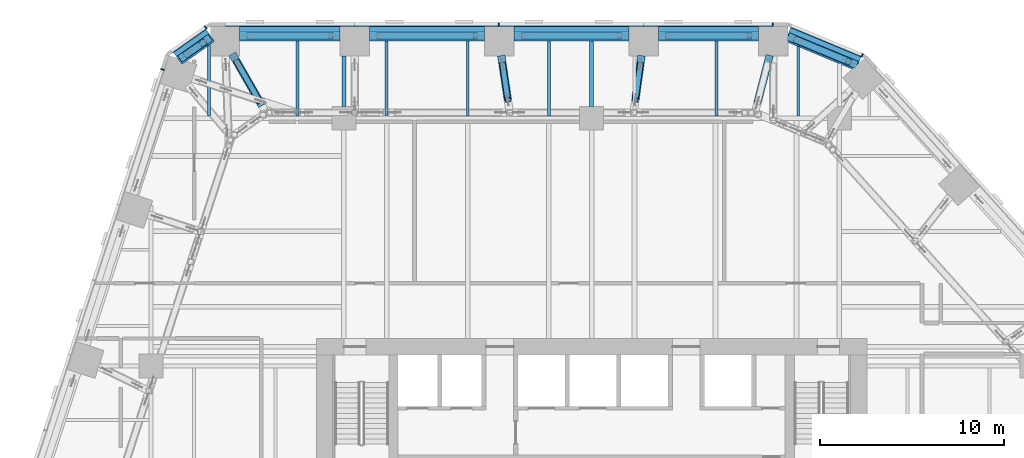
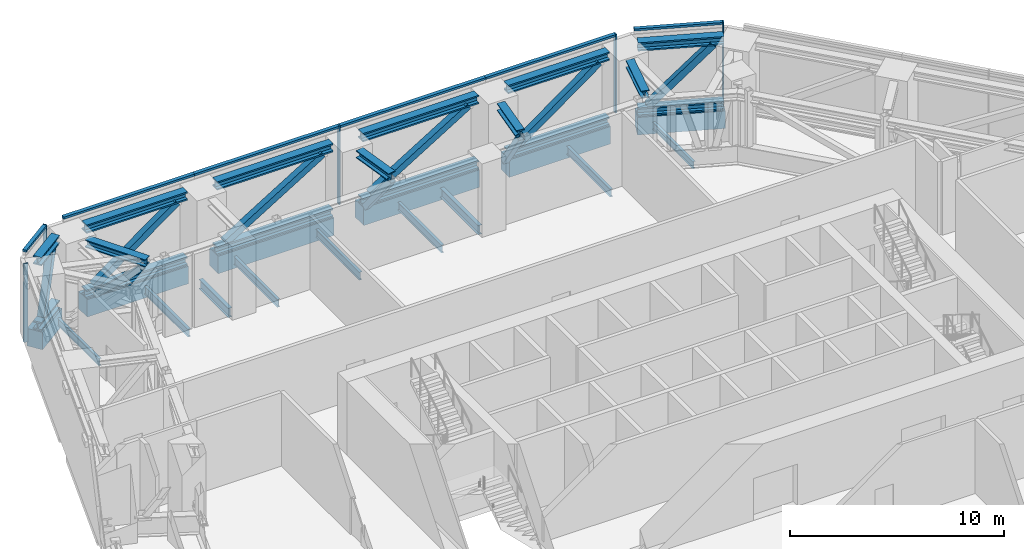
# One storey, part 18 of 36: 36 members, 15 beams, 4 elements without a shape of their own.
"""IFC4 building model written with IfcOpenShell, lengths in metres."""

from ifc_helpers import new_model, si_unit, direction, frame, origin, origin_2d, place, context, subcontext, project, spatial, rectangle, hollow_rectangle, i_section, extrude, material, layer, layer_set, material_profile, profile_set, type_object, element, aggregate, save


model = new_model("IFC4")

# Units and contexts
model_context = context("Model", 3, precision=1e-05, world=origin(), true_north=direction((0.0, 1.0)))
body_context = subcontext(model_context, "Body", "Model", "MODEL_VIEW")
ifc_project = project(units=[si_unit("LENGTHUNIT", "METRE"), si_unit("AREAUNIT", "SQUARE_METRE"), si_unit("VOLUMEUNIT", "CUBIC_METRE"), si_unit("PLANEANGLEUNIT", "RADIAN"), si_unit("MASSUNIT", "GRAM", prefix="KILO")], contexts=[model_context])

# Site, building, storey
site_placement = place(None, origin())
site = spatial("IfcSite", under=ifc_project, at=site_placement, CompositionType="ELEMENT")
building_placement = place(site_placement, origin())
building = spatial("IfcBuilding", under=site, at=building_placement, Name="Isthmus Gate Tower", CompositionType="ELEMENT")
storey_placement = place(building_placement, frame((0.0, 0.0, 117.14990234375)))
storey = spatial("IfcBuildingStorey", under=building, at=storey_placement, Name="L28", CompositionType="ELEMENT", Elevation=117.14990234375)

# Members
ifc_material_1 = material(Name="Structural steel ASTM A913 Gr 65", Category="steel")
ifc_material_profile_1 = material_profile(ifc_material_1, i_section(OverallWidth=0.4287109375, OverallDepth=0.482666015625, WebThickness=0.05078125, FlangeThickness=0.0810546875, at=origin_2d()), Name="W14X455")
ifc_profile_set_1 = profile_set([ifc_material_profile_1], Name="Structural steel ASTM A913 Gr 65")
member_type_1 = type_object("IfcMemberType", Name="BELT TRUSS CHORD W14X455", PredefinedType="CHORD", material=ifc_profile_set_1)
for number, where, z_axis, x_axis, name in (
    (1, (10.701904296875, 31.45849609375, 0.241455078125), (0.923352231682, -0.383953976732, 0.0), (0.383953976732, 0.923352231682, 0.0), "str-belt00-L28-01"),
    (2, (10.701904296875, 31.45849609375, 3.958740234375), (0.923352231682, -0.383953976732, 0.0), (0.383953976732, 0.923352231682, 0.0), "str-belt00-L28-02"),
):
    element("IfcMember", number, at=place(storey_placement, frame(where, z_axis=z_axis, x_axis=x_axis)), inside=storey, type_object=member_type_1, Name=name, PredefinedType="CHORD", context=body_context, shape_type="SweptSolid", body=[
        extrude(i_section(OverallWidth=0.4287109375, OverallDepth=0.482666015625, WebThickness=0.05078125, FlangeThickness=0.0810546875, at=origin_2d()), origin(), (0.0, 0.0, 1.0), 4.063232421875),
    ])
for number, where, z_axis, x_axis, name in (
    (3, (-22.4345703125, 30.221923828125, 0.241455078125), (0.817877769394, 0.575392000579, 0.0), (-0.575392000579, 0.817877769394, 0.0), "str-belt22-L28-01"),
    (4, (-22.4345703125, 30.221923828125, 3.958740234375), (0.817877769394, 0.575392000579, 0.0), (-0.575392000579, 0.817877769394, 0.0), "str-belt22-L28-02"),
):
    element("IfcMember", number, at=place(storey_placement, frame(where, z_axis=z_axis, x_axis=x_axis)), inside=storey, type_object=member_type_1, Name=name, PredefinedType="CHORD", context=body_context, shape_type="SweptSolid", body=[
        extrude(i_section(OverallWidth=0.4287109375, OverallDepth=0.482666015625, WebThickness=0.05078125, FlangeThickness=0.0810546875, at=origin_2d()), origin(), (0.0, 0.0, 1.0), 2.02783203125),
    ])
for number, where, z_axis, x_axis, name in (
    (5, (-19.17626953125, 31.5, 0.241455078125), (1.0, 0.0, 0.0), (0.0, 1.0, 0.0), "str-belt23-L28-01"),
    (6, (-19.17626953125, 31.5, 3.958740234375), (1.0, 0.0, 0.0), (0.0, 1.0, 0.0), "str-belt23-L28-02"),
):
    element("IfcMember", number, at=place(storey_placement, frame(where, z_axis=z_axis, x_axis=x_axis)), inside=storey, type_object=member_type_1, Name=name, PredefinedType="CHORD", context=body_context, shape_type="SweptSolid", body=[
        extrude(i_section(OverallWidth=0.4287109375, OverallDepth=0.482666015625, WebThickness=0.05078125, FlangeThickness=0.0810546875, at=origin_2d()), origin(), (0.0, 0.0, 1.0), 5.469482421875),
    ])
for number, where, z_axis, x_axis, name in (
    (7, (-12.106689453125, 31.5, 0.241455078125), (1.0, 0.0, 0.0), (0.0, 1.0, 0.0), "str-belt24-L28-01"),
    (8, (-12.106689453125, 31.5, 3.958740234375), (1.0, 0.0, 0.0), (0.0, 1.0, 0.0), "str-belt24-L28-02"),
    (9, (-4.2373046875, 31.5, 0.241455078125), (1.0, 0.0, 0.0), (0.0, 1.0, 0.0), "str-belt25-L28-01"),
    (10, (-4.2373046875, 31.5, 3.958740234375), (1.0, 0.0, 0.0), (0.0, 1.0, 0.0), "str-belt25-L28-02"),
):
    element("IfcMember", number, at=place(storey_placement, frame(where, z_axis=z_axis, x_axis=x_axis)), inside=storey, type_object=member_type_1, Name=name, PredefinedType="CHORD", context=body_context, shape_type="SweptSolid", body=[
        extrude(i_section(OverallWidth=0.4287109375, OverallDepth=0.482666015625, WebThickness=0.05078125, FlangeThickness=0.0810546875, at=origin_2d()), origin(), (0.0, 0.0, 1.0), 6.26953125),
    ])
for number, where, z_axis, x_axis, name in (
    (11, (3.63232421875, 31.5, 0.241455078125), (1.0, 0.0, 0.0), (0.0, 1.0, 0.0), "str-belt26-L28-01"),
    (12, (3.63232421875, 31.5, 3.958740234375), (1.0, 0.0, 0.0), (0.0, 1.0, 0.0), "str-belt26-L28-02"),
):
    element("IfcMember", number, at=place(storey_placement, frame(where, z_axis=z_axis, x_axis=x_axis)), inside=storey, type_object=member_type_1, Name=name, PredefinedType="CHORD", context=body_context, shape_type="SweptSolid", body=[
        extrude(i_section(OverallWidth=0.4287109375, OverallDepth=0.482666015625, WebThickness=0.05078125, FlangeThickness=0.0810546875, at=origin_2d()), origin(), (0.0, 0.0, 1.0), 5.469482421875),
    ])

# Curtain wall, members
ifc_material_2 = material(Name="Aluminium, pale champagne anodised", Category="aluminium")
ifc_layer = layer(ifc_material_2, 0.199951171875)
ifc_layer_set = layer_set([ifc_layer], Name="CW-2 LOUVRE CURTAIN WALL 200 DEEP")
curtain_wall_type = type_object("IfcCurtainWallType", Name="CW-2 LOUVRE CURTAIN WALL 200 DEEP", PredefinedType="NOTDEFINED", material=ifc_layer_set)
curtain_wall_1_placement = place(storey_placement, origin())
curtain_wall_1 = element("IfcCurtainWall", 13, at=curtain_wall_1_placement, inside=storey, type_object=curtain_wall_type, Name="CW-2 N L28", PredefinedType="NOTDEFINED")
ifc_material_3 = material(Name="Aluminium, pale champagne anodised", Category="aluminium")
ifc_material_profile_2 = material_profile(ifc_material_3, rectangle(XDim=0.06005859375, YDim=0.199951171875, at=origin_2d()), Name="60x200")
ifc_profile_set_2 = profile_set([ifc_material_profile_2], Name="Aluminium, pale champagne anodised")
member_type_2 = type_object("IfcMemberType", Name="CW-2 MULLION 60 X 200", PredefinedType="MULLION", material=ifc_profile_set_2)
member_1_placement = place(storey_placement, frame((9.871826171875, 32.10009765625, 0.0), z_axis=(0.0, 0.0, 1.0), x_axis=(-1.0, 0.0, 0.0)))
member_1 = element("IfcMember", 14, at=member_1_placement, type_object=member_type_2, Name="CW-2 mullion", PredefinedType="MULLION", context=body_context, shape_type="SweptSolid", body=[
    extrude(rectangle(XDim=0.06005859375, YDim=0.199951171875, at=origin_2d()), origin(), (0.0, 0.0, 1.0), 4.5),
])
member_2_placement = place(storey_placement, frame((-5.067138671875, 32.10009765625, 0.0), z_axis=(0.0, 0.0, 1.0), x_axis=(-1.0, 0.0, 0.0)))
member_2 = element("IfcMember", 15, at=member_2_placement, type_object=member_type_2, Name="CW-2 mullion", PredefinedType="MULLION", context=body_context, shape_type="SweptSolid", body=[
    extrude(rectangle(XDim=0.06005859375, YDim=0.199951171875, at=origin_2d()), origin(), (0.0, 0.0, 1.0), 4.5),
])

# Curtain wall, member
curtain_wall_2_placement = place(storey_placement, origin())
curtain_wall_2 = element("IfcCurtainWall", 16, at=curtain_wall_2_placement, inside=storey, type_object=curtain_wall_type, Name="CW-2 N-NW L28", PredefinedType="NOTDEFINED")
member_3_placement = place(storey_placement, frame((-21.031005859375, 31.943115234375, 0.0), z_axis=(0.0, 0.0, 1.0), x_axis=(-0.81785959165, -0.57541783805, 0.0)))
member_3 = element("IfcMember", 17, at=member_3_placement, type_object=member_type_2, Name="CW-2 mullion", PredefinedType="MULLION", context=body_context, shape_type="SweptSolid", body=[
    extrude(rectangle(XDim=0.06005859375, YDim=0.199951171875, at=origin_2d()), origin(), (0.0, 0.0, 1.0), 4.5),
])

curtain_wall_3_placement = place(storey_placement, origin())
curtain_wall_3 = element("IfcCurtainWall", 18, at=curtain_wall_3_placement, inside=storey, type_object=curtain_wall_type, Name="CW-2 NW L28", PredefinedType="NOTDEFINED")
member_4_placement = place(storey_placement, frame((-23.380615234375, 29.656494140625, 0.0), z_axis=(0.0, 0.0, 1.0), x_axis=(-0.309016994375, -0.951056516295, 0.0)))
member_4 = element("IfcMember", 19, at=member_4_placement, type_object=member_type_2, Name="CW-2 mullion", PredefinedType="MULLION", context=body_context, shape_type="SweptSolid", body=[
    extrude(rectangle(XDim=0.06005859375, YDim=0.199951171875, at=origin_2d()), origin(), (0.0, 0.0, 1.0), 4.5),
])
aggregate(curtain_wall_3, [member_4])

curtain_wall_4_placement = place(storey_placement, origin())
curtain_wall_4 = element("IfcCurtainWall", 20, at=curtain_wall_4_placement, inside=storey, type_object=curtain_wall_type, Name="CW-2 NE-N L28", PredefinedType="NOTDEFINED")
member_5_placement = place(storey_placement, frame((14.744140625, 30.427490234375, 0.0), z_axis=(0.0, 0.0, 1.0), x_axis=(-0.923353128387, 0.383951820282, 0.0)))
member_5 = element("IfcMember", 21, at=member_5_placement, type_object=member_type_2, Name="CW-2 mullion", PredefinedType="MULLION", context=body_context, shape_type="SweptSolid", body=[
    extrude(rectangle(XDim=0.06005859375, YDim=0.199951171875, at=origin_2d()), origin(), (0.0, 0.0, 1.0), 4.5),
])

# Member
ifc_material_4 = material(Name="Aluminium, pale champagne anodised", Category="aluminium")
ifc_material_profile_3 = material_profile(ifc_material_4, rectangle(XDim=0.199951171875, YDim=0.1201171875, at=origin_2d()), Name="200x120")
ifc_profile_set_3 = profile_set([ifc_material_profile_3], Name="Aluminium, pale champagne anodised")
member_type_3 = type_object("IfcMemberType", Name="CW-2 TRANSOM 200 X 120", PredefinedType="USERDEFINED", material=ifc_profile_set_3)
member_6_placement = place(storey_placement, frame((9.841796875, 32.10009765625, 4.440185546875), z_axis=(-1.0, 0.0, 0.0), x_axis=(0.0, -1.0, 0.0)))
member_6 = element("IfcMember", 22, at=member_6_placement, type_object=member_type_3, Name="CW-2 transom", ObjectType="TRANSOM", PredefinedType="USERDEFINED", context=body_context, shape_type="SweptSolid", body=[
    extrude(rectangle(XDim=0.199951171875, YDim=0.1201171875, at=origin_2d()), origin(), (0.0, 0.0, 1.0), 7.009521484375),
])

member_7_placement = place(storey_placement, frame((2.832275390625, 32.10009765625, 4.440185546875), z_axis=(-1.0, 0.0, 0.0), x_axis=(0.0, -1.0, 0.0)))
member_7 = element("IfcMember", 23, at=member_7_placement, type_object=member_type_3, Name="CW-2 transom", ObjectType="TRANSOM", PredefinedType="USERDEFINED", context=body_context, shape_type="SweptSolid", body=[
    extrude(rectangle(XDim=0.199951171875, YDim=0.1201171875, at=origin_2d()), origin(), (0.0, 0.0, 1.0), 7.869384765625),
])

member_8_placement = place(storey_placement, frame((-5.09716796875, 32.10009765625, 4.440185546875), z_axis=(-1.0, 0.0, 0.0), x_axis=(0.0, -1.0, 0.0)))
member_8 = element("IfcMember", 24, at=member_8_placement, type_object=member_type_3, Name="CW-2 transom", ObjectType="TRANSOM", PredefinedType="USERDEFINED", context=body_context, shape_type="SweptSolid", body=[
    extrude(rectangle(XDim=0.199951171875, YDim=0.1201171875, at=origin_2d()), origin(), (0.0, 0.0, 1.0), 7.8095703125),
])

member_9_placement = place(storey_placement, frame((-12.90673828125, 32.10009765625, 4.440185546875), z_axis=(-1.0, 0.0, 0.0), x_axis=(0.0, -1.0, 0.0)))
member_9 = element("IfcMember", 25, at=member_9_placement, type_object=member_type_3, Name="CW-2 transom", ObjectType="TRANSOM", PredefinedType="USERDEFINED", context=body_context, shape_type="SweptSolid", body=[
    extrude(rectangle(XDim=0.199951171875, YDim=0.1201171875, at=origin_2d()), origin(), (0.0, 0.0, 1.0), 7.069580078125),
])

aggregate(curtain_wall_1, [member_1, member_6, member_7, member_2, member_8, member_9])

member_10_placement = place(storey_placement, frame((-21.055419921875, 31.92578125, 4.440185546875), z_axis=(-0.817868595604, -0.575405040233, 0.0), x_axis=(0.575405040233, -0.817868595604, 0.0)))
member_10 = element("IfcMember", 26, at=member_10_placement, type_object=member_type_3, Name="CW-2 transom", ObjectType="TRANSOM", PredefinedType="USERDEFINED", context=body_context, shape_type="SweptSolid", body=[
    extrude(rectangle(XDim=0.199951171875, YDim=0.1201171875, at=origin_2d()), origin(), (0.0, 0.0, 1.0), 2.258544921875),
])

aggregate(curtain_wall_2, [member_3, member_10])

member_11_placement = place(storey_placement, frame((14.716552734375, 30.43896484375, 4.440185546875), z_axis=(-0.923358236369, 0.383939536033, 0.0), x_axis=(-0.383939536033, -0.923358236369, 0.0)))
member_11 = element("IfcMember", 27, at=member_11_placement, type_object=member_type_3, Name="CW-2 transom", ObjectType="TRANSOM", PredefinedType="USERDEFINED", context=body_context, shape_type="SweptSolid", body=[
    extrude(rectangle(XDim=0.199951171875, YDim=0.1201171875, at=origin_2d()), origin(), (0.0, 0.0, 1.0), 4.181640625),
])

aggregate(curtain_wall_4, [member_5, member_11])

# Beams
ifc_material_5 = material(Name="Concrete f'c 70 MPa", Category="concrete")
ifc_material_profile_4 = material_profile(ifc_material_5, rectangle(XDim=0.800048828125, YDim=1.0, at=origin_2d()), Name="RC 800X1000")
ifc_profile_set_4 = profile_set([ifc_material_profile_4], Name="Concrete f'c 70 MPa")
beam_type_1 = type_object("IfcBeamType", Name="RC SPANDREL 800 X 1000", PredefinedType="SPANDREL", material=ifc_profile_set_4)
beam_1_placement = place(storey_placement, frame((10.701904296875, 31.56689453125, -0.5), z_axis=(0.923334166719, -0.383997417399, 0.0), x_axis=(0.383997417399, 0.923334166719, 0.0)))
element("IfcBeam", 28, at=beam_1_placement, inside=storey, type_object=beam_type_1, Name="str-spandrel-L28-00", PredefinedType="SPANDREL", context=body_context, shape_type="SweptSolid", body=[
    extrude(rectangle(XDim=0.800048828125, YDim=1.0, at=origin_2d()), origin(), (0.0, 0.0, 1.0), 4.15234375),
])
beam_2_placement = place(storey_placement, frame((-22.553466796875, 30.260498046875, -0.5), z_axis=(0.817857331203, 0.575421050882, 0.0), x_axis=(-0.575421050882, 0.817857331203, 0.0)))
element("IfcBeam", 29, at=beam_2_placement, inside=storey, type_object=beam_type_1, Name="str-spandrel-L28-22", PredefinedType="SPANDREL", context=body_context, shape_type="SweptSolid", body=[
    extrude(rectangle(XDim=0.800048828125, YDim=1.0, at=origin_2d()), origin(), (0.0, 0.0, 1.0), 2.173095703125),
])
beam_3_placement = place(storey_placement, frame((-19.17626953125, 31.60009765625, -0.5), z_axis=(1.0, 0.0, 0.0), x_axis=(0.0, 1.0, 0.0)))
element("IfcBeam", 30, at=beam_3_placement, inside=storey, type_object=beam_type_1, Name="str-spandrel-L28-23", PredefinedType="SPANDREL", context=body_context, shape_type="SweptSolid", body=[
    extrude(rectangle(XDim=0.800048828125, YDim=1.0, at=origin_2d()), origin(), (0.0, 0.0, 1.0), 5.469482421875),
])
for number, where, z_axis, x_axis, name in (
    (31, (-12.106689453125, 31.60009765625, -0.5), (1.0, 0.0, 0.0), (0.0, 1.0, 0.0), "str-spandrel-L28-24"),
    (32, (-4.2373046875, 31.60009765625, -0.5), (1.0, 0.0, 0.0), (0.0, 1.0, 0.0), "str-spandrel-L28-25"),
):
    element("IfcBeam", number, at=place(storey_placement, frame(where, z_axis=z_axis, x_axis=x_axis)), inside=storey, type_object=beam_type_1, Name=name, PredefinedType="SPANDREL", context=body_context, shape_type="SweptSolid", body=[
        extrude(rectangle(XDim=0.800048828125, YDim=1.0, at=origin_2d()), origin(), (0.0, 0.0, 1.0), 6.26953125),
    ])
beam_4_placement = place(storey_placement, frame((3.63232421875, 31.60009765625, -0.5), z_axis=(1.0, 0.0, 0.0), x_axis=(0.0, 1.0, 0.0)))
element("IfcBeam", 33, at=beam_4_placement, inside=storey, type_object=beam_type_1, Name="str-spandrel-L28-26", PredefinedType="SPANDREL", context=body_context, shape_type="SweptSolid", body=[
    extrude(rectangle(XDim=0.800048828125, YDim=1.0, at=origin_2d()), origin(), (0.0, 0.0, 1.0), 5.469482421875),
])
ifc_material_6 = material(Name="Structural steel ASTM A992 Gr 50", Category="steel")
ifc_material_profile_5 = material_profile(ifc_material_6, i_section(OverallWidth=0.1396484375, OverallDepth=0.4033203125, WebThickness=0.00634765625, FlangeThickness=0.010986328125, at=origin_2d()), Name="W16X31")
ifc_profile_set_5 = profile_set([ifc_material_profile_5], Name="Structural steel ASTM A992 Gr 50")
beam_type_2 = type_object("IfcBeamType", Name="STEEL FLOOR BEAM W16X31", PredefinedType="JOIST", material=ifc_profile_set_5)
beam_5_placement = place(storey_placement, frame((-20.846435546875, 27.1142578125, -0.50146484375), z_axis=(0.0, 1.0, 0.0), x_axis=(-1.0, 0.0, 0.0)))
element("IfcBeam", 34, at=beam_5_placement, inside=storey, type_object=beam_type_2, Name="str-beam-L28-09-00", PredefinedType="JOIST", context=body_context, shape_type="SweptSolid", body=[
    extrude(i_section(OverallWidth=0.1396484375, OverallDepth=0.4033203125, WebThickness=0.00634765625, FlangeThickness=0.010986328125, at=origin_2d()), origin(), (0.0, 0.0, 1.0), 3.858154296875),
])
beam_6_placement = place(storey_placement, frame((11.267578125, 27.1318359375, -0.50146484375), z_axis=(0.0, 1.0, 0.0), x_axis=(-1.0, 0.0, 0.0)))
element("IfcBeam", 35, at=beam_6_placement, inside=storey, type_object=beam_type_2, Name="str-beam-L28-20-02", PredefinedType="JOIST", context=body_context, shape_type="SweptSolid", body=[
    extrude(i_section(OverallWidth=0.1396484375, OverallDepth=0.4033203125, WebThickness=0.00634765625, FlangeThickness=0.010986328125, at=origin_2d()), origin(), (0.0, 0.0, 1.0), 3.7666015625),
])
ifc_material_7 = material(Name="Structural steel ASTM A992 Gr 50", Category="steel")
ifc_material_profile_6 = material_profile(ifc_material_7, i_section(OverallWidth=0.15234375, OverallDepth=0.45068359375, WebThickness=0.0078125, FlangeThickness=0.010986328125, at=origin_2d()), Name="W18X35")
ifc_profile_set_6 = profile_set([ifc_material_profile_6], Name="Structural steel ASTM A992 Gr 50")
beam_type_3 = type_object("IfcBeamType", Name="STEEL FLOOR BEAM W18X35", PredefinedType="JOIST", material=ifc_profile_set_6)
beam_7_placement = place(storey_placement, frame((-16.0185546875, 27.1142578125, -0.525390625), z_axis=(0.0, 1.0, 0.0), x_axis=(-1.0, 0.0, 0.0)))
element("IfcBeam", 36, at=beam_7_placement, inside=storey, type_object=beam_type_3, Name="str-beam-L28-09-01", PredefinedType="JOIST", context=body_context, shape_type="SweptSolid", body=[
    extrude(i_section(OverallWidth=0.15234375, OverallDepth=0.45068359375, WebThickness=0.0078125, FlangeThickness=0.010986328125, at=origin_2d()), origin(), (0.0, 0.0, 1.0), 4.085693359375),
])
for number, where, z_axis, x_axis, name in (
    (37, (-11.18017578125, 27.1318359375, -0.525390625), (0.0, 1.0, 0.0), (-1.0, 0.0, 0.0), "str-beam-L28-15-00"),
    (38, (-6.75, 27.1318359375, -0.525390625), (0.0, 1.0, 0.0), (-1.0, 0.0, 0.0), "str-beam-L28-15-01"),
    (39, (-2.31982421875, 27.1318359375, -0.525390625), (0.0, 1.0, 0.0), (-1.0, 0.0, 0.0), "str-beam-L28-15-02"),
    (40, (6.802490234375, 27.1318359375, -0.525390625), (0.0, 1.0, 0.0), (-1.0, 0.0, 0.0), "str-beam-L28-20-01"),
):
    element("IfcBeam", number, at=place(storey_placement, frame(where, z_axis=z_axis, x_axis=x_axis)), inside=storey, type_object=beam_type_3, Name=name, PredefinedType="JOIST", context=body_context, shape_type="SweptSolid", body=[
        extrude(i_section(OverallWidth=0.15234375, OverallDepth=0.45068359375, WebThickness=0.0078125, FlangeThickness=0.010986328125, at=origin_2d()), origin(), (0.0, 0.0, 1.0), 4.068115234375),
    ])
ifc_material_8 = material(Name="Structural steel ASTM A992 Gr 50", Category="steel")
ifc_material_profile_7 = material_profile(ifc_material_8, i_section(OverallWidth=0.20947265625, OverallDepth=0.533447265625, WebThickness=0.009521484375, FlangeThickness=0.015869140625, at=origin_2d()), Name="W21X62")
ifc_profile_set_7 = profile_set([ifc_material_profile_7], Name="Structural steel ASTM A992 Gr 50")
beam_type_4 = type_object("IfcBeamType", Name="STEEL GIRDER W21X62", PredefinedType="BEAM", material=ifc_profile_set_7)
beam_8_placement = place(storey_placement, frame((-13.5, 27.64990234375, -0.566650390625), z_axis=(0.0, 1.0, 0.0), x_axis=(-1.0, 0.0, 0.0)))
element("IfcBeam", 41, at=beam_8_placement, inside=storey, type_object=beam_type_4, Name="str-girder-L28-28", PredefinedType="BEAM", context=body_context, shape_type="SweptSolid", body=[
    extrude(i_section(OverallWidth=0.20947265625, OverallDepth=0.533447265625, WebThickness=0.009521484375, FlangeThickness=0.015869140625, at=origin_2d()), origin(), (0.0, 0.0, 1.0), 2.75),
])
beam_9_placement = place(storey_placement, frame((0.0, 27.64990234375, -0.566650390625), z_axis=(0.0, 1.0, 0.0), x_axis=(-1.0, 0.0, 0.0)))
element("IfcBeam", 42, at=beam_9_placement, inside=storey, type_object=beam_type_4, Name="str-girder-L28-31", PredefinedType="BEAM", context=body_context, shape_type="SweptSolid", body=[
    extrude(i_section(OverallWidth=0.20947265625, OverallDepth=0.533447265625, WebThickness=0.009521484375, FlangeThickness=0.015869140625, at=origin_2d()), origin(), (0.0, 0.0, 1.0), 3.550048828125),
])

# Members
ifc_material_9 = material(Name="Structural steel ASTM A913 Gr 65", Category="steel")
ifc_material_profile_8 = material_profile(ifc_material_9, i_section(OverallWidth=0.40966796875, OverallDepth=0.42529296875, WebThickness=0.033203125, FlangeThickness=0.052490234375, at=origin_2d()), Name="W14X283")
ifc_profile_set_8 = profile_set([ifc_material_profile_8], Name="Structural steel ASTM A913 Gr 65")
member_type_4 = type_object("IfcMemberType", Name="TRANSFER TRUSS CHORD W14X283", PredefinedType="CHORD", material=ifc_profile_set_8)
member_12_placement = place(storey_placement, frame((2.721923828125, 30.40771484375, 3.887451171875), z_axis=(-0.13818686832, -0.990406173963, 0.0), x_axis=(0.990406173963, -0.13818686832, 0.0)))
element("IfcMember", 43, at=member_12_placement, inside=storey, type_object=member_type_4, Name="str-link01-L28-02", PredefinedType="CHORD", context=body_context, shape_type="SweptSolid", body=[
    extrude(i_section(OverallWidth=0.40966796875, OverallDepth=0.42529296875, WebThickness=0.033203125, FlangeThickness=0.052490234375, at=origin_2d()), origin(), (0.0, 0.0, 1.0), 2.43115234375),
])
member_13_placement = place(storey_placement, frame((-4.92041015625, 30.40869140625, 3.887451171875), z_axis=(0.145996266498, -0.989285140982, 0.0), x_axis=(0.989285140982, 0.145996266498, 0.0)))
element("IfcMember", 44, at=member_13_placement, inside=storey, type_object=member_type_4, Name="str-link02-L28-02", PredefinedType="CHORD", context=body_context, shape_type="SweptSolid", body=[
    extrude(i_section(OverallWidth=0.40966796875, OverallDepth=0.42529296875, WebThickness=0.033203125, FlangeThickness=0.052490234375, at=origin_2d()), origin(), (0.0, 0.0, 1.0), 2.434814453125),
])
member_14_placement = place(storey_placement, frame((9.70263671875, 30.42529296875, 3.887451171875), z_axis=(-0.249080305486, -0.96848283486, 0.0), x_axis=(0.96848283486, -0.249080305486, 0.0)))
element("IfcMember", 45, at=member_14_placement, inside=storey, type_object=member_type_4, Name="str-link27-L28-02", PredefinedType="CHORD", context=body_context, shape_type="SweptSolid", body=[
    extrude(i_section(OverallWidth=0.40966796875, OverallDepth=0.42529296875, WebThickness=0.033203125, FlangeThickness=0.052490234375, at=origin_2d()), origin(), (0.0, 0.0, 1.0), 2.666015625),
])
member_15_placement = place(storey_placement, frame((-19.578369140625, 30.505859375, 3.887451171875), z_axis=(0.497392404748, -0.867525674374, 0.0), x_axis=(0.867525674374, 0.497392404748, 0.0)))
element("IfcMember", 46, at=member_15_placement, inside=storey, type_object=member_type_4, Name="str-link38-L28-02", PredefinedType="CHORD", context=body_context, shape_type="SweptSolid", body=[
    extrude(i_section(OverallWidth=0.40966796875, OverallDepth=0.42529296875, WebThickness=0.033203125, FlangeThickness=0.052490234375, at=origin_2d()), origin(), (0.0, 0.0, 1.0), 3.249755859375),
])
ifc_material_10 = material(Name="Structural steel ASTM A500 Gr C", Category="steel")
ifc_material_profile_9 = material_profile(ifc_material_10, hollow_rectangle(XDim=0.3046875, YDim=0.3046875, WallThickness=0.014892578125, at=origin_2d()), Name="HSS12X12X5/8")
ifc_profile_set_9 = profile_set([ifc_material_profile_9], Name="Structural steel ASTM A500 Gr C")
member_type_5 = type_object("IfcMemberType", Name="TRANSFER TRUSS DIAGONAL HSS12X12X5/8", PredefinedType="BRACE", material=ifc_profile_set_9)
member_16_placement = place(storey_placement, frame((2.65283203125, 29.912353515625, 1.089111328125), z_axis=(-0.082689254482, -0.592593714871, 0.801246014835), x_axis=(0.9904044929, -0.138198916218, 0.0)))
element("IfcMember", 47, at=member_16_placement, inside=storey, type_object=member_type_5, Name="str-link01-L28-03", PredefinedType="BRACE", context=body_context, shape_type="SweptSolid", body=[
    extrude(hollow_rectangle(XDim=0.3046875, YDim=0.3046875, WallThickness=0.014892578125, at=origin_2d()), origin(), (0.0, 0.0, 1.0), 3.22705078125),
])
member_17_placement = place(storey_placement, frame((-4.847412109375, 29.913818359375, 1.089111328125), z_axis=(0.087471513508, -0.592644074668, 0.800700777498), x_axis=(0.989282594992, 0.146013517337, 0.0)))
element("IfcMember", 48, at=member_17_placement, inside=storey, type_object=member_type_5, Name="str-link02-L28-03", PredefinedType="BRACE", context=body_context, shape_type="SweptSolid", body=[
    extrude(hollow_rectangle(XDim=0.3046875, YDim=0.3046875, WallThickness=0.014892578125, at=origin_2d()), origin(), (0.0, 0.0, 1.0), 3.229248046875),
])
member_18_placement = place(storey_placement, frame((-19.32958984375, 30.072265625, 1.089111328125), z_axis=(0.358882792147, -0.626123824522, 0.69222257827), x_axis=(0.867587144291, 0.497285176796, 0.0)))
element("IfcMember", 49, at=member_18_placement, inside=storey, type_object=member_type_5, Name="str-link38-L28-03", PredefinedType="BRACE", context=body_context, shape_type="SweptSolid", body=[
    extrude(hollow_rectangle(XDim=0.3046875, YDim=0.3046875, WallThickness=0.014892578125, at=origin_2d()), origin(), (0.0, 0.0, 1.0), 3.431396484375),
])
ifc_material_11 = material(Name="Structural steel ASTM A500 Gr C", Category="steel")
ifc_material_profile_10 = material_profile(ifc_material_11, hollow_rectangle(XDim=0.355712890625, YDim=0.355712890625, WallThickness=0.017578125, at=origin_2d()), Name="HSS14X14X3/4")
ifc_profile_set_10 = profile_set([ifc_material_profile_10], Name="Structural steel ASTM A500 Gr C")
member_type_6 = type_object("IfcMemberType", Name="TRUSS DIAGONAL HSS14X14X3/4", PredefinedType="BRACE", material=ifc_profile_set_10)
member_19_placement = place(storey_placement, frame((11.16357421875, 31.2666015625, 0.482666015625), z_axis=(0.634865672379, -0.264029590809, 0.726108775055), x_axis=(0.383998442859, 0.923333740249, 0.0)))
element("IfcMember", 50, at=member_19_placement, inside=storey, type_object=member_type_6, Name="str-belt00-L28-03", PredefinedType="BRACE", context=body_context, shape_type="SweptSolid", body=[
    extrude(hollow_rectangle(XDim=0.355712890625, YDim=0.355712890625, WallThickness=0.017578125, at=origin_2d()), origin(), (0.0, 0.0, 1.0), 4.455078125),
])
member_20_placement = place(storey_placement, frame((-22.02587890625, 30.509521484375, 0.482666015625), z_axis=(0.247718684082, 0.174208668074, 0.953040814196), x_axis=(-0.575246283607, 0.817980264552, 0.0)))
element("IfcMember", 51, at=member_20_placement, inside=storey, type_object=member_type_6, Name="str-belt22-L28-03", PredefinedType="BRACE", context=body_context, shape_type="SweptSolid", body=[
    extrude(hollow_rectangle(XDim=0.355712890625, YDim=0.355712890625, WallThickness=0.017578125, at=origin_2d()), origin(), (0.0, 0.0, 1.0), 3.394287109375),
])
member_21_placement = place(storey_placement, frame((-18.67626953125, 31.5, 0.482666015625), z_axis=(0.81008489183, 0.0, 0.586312602652), x_axis=(0.0, 1.0, 0.0)))
element("IfcMember", 52, at=member_21_placement, inside=storey, type_object=member_type_6, Name="str-belt23-L28-03", PredefinedType="BRACE", context=body_context, shape_type="SweptSolid", body=[
    extrude(hollow_rectangle(XDim=0.355712890625, YDim=0.355712890625, WallThickness=0.017578125, at=origin_2d()), origin(), (0.0, 0.0, 1.0), 5.517333984375),
])
for number, where, z_axis, x_axis, name in (
    (53, (-11.606689453125, 31.5, 0.482666015625), (0.852229908521, 0.0, 0.523167452182), (0.0, 1.0, 0.0), "str-belt24-L28-03"),
    (54, (-3.7373046875, 31.5, 0.482666015625), (0.852229908521, 0.0, 0.523167452182), (0.0, 1.0, 0.0), "str-belt25-L28-03"),
):
    element("IfcMember", number, at=place(storey_placement, frame(where, z_axis=z_axis, x_axis=x_axis)), inside=storey, type_object=member_type_6, Name=name, PredefinedType="BRACE", context=body_context, shape_type="SweptSolid", body=[
        extrude(hollow_rectangle(XDim=0.355712890625, YDim=0.355712890625, WallThickness=0.017578125, at=origin_2d()), origin(), (0.0, 0.0, 1.0), 6.18310546875),
    ])
member_22_placement = place(storey_placement, frame((4.13232421875, 31.5, 0.482666015625), z_axis=(0.81008489183, 0.0, 0.586312602652), x_axis=(0.0, 1.0, 0.0)))
element("IfcMember", 55, at=member_22_placement, inside=storey, type_object=member_type_6, Name="str-belt26-L28-03", PredefinedType="BRACE", context=body_context, shape_type="SweptSolid", body=[
    extrude(hollow_rectangle(XDim=0.355712890625, YDim=0.355712890625, WallThickness=0.017578125, at=origin_2d()), origin(), (0.0, 0.0, 1.0), 5.517333984375),
])

save(model, "model.ifc")
